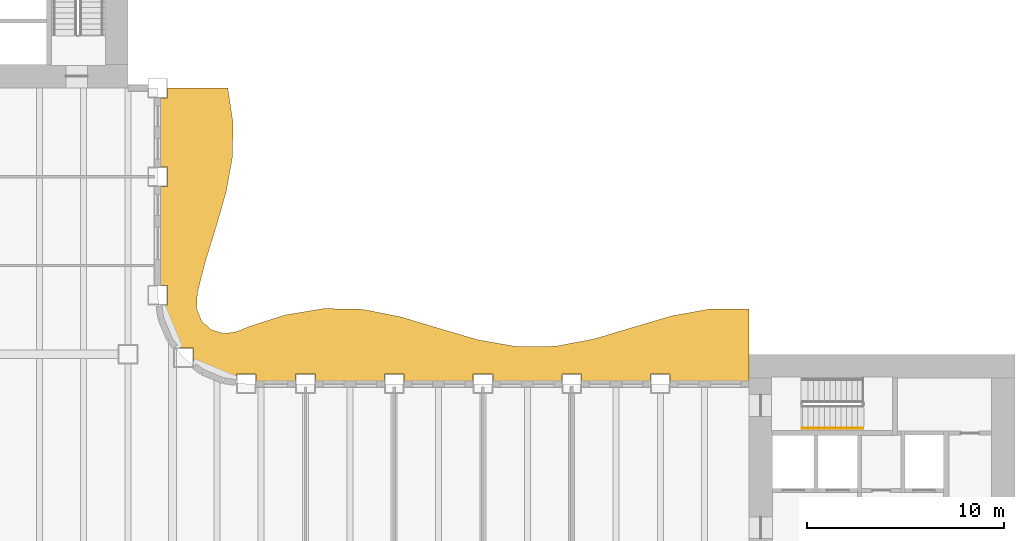
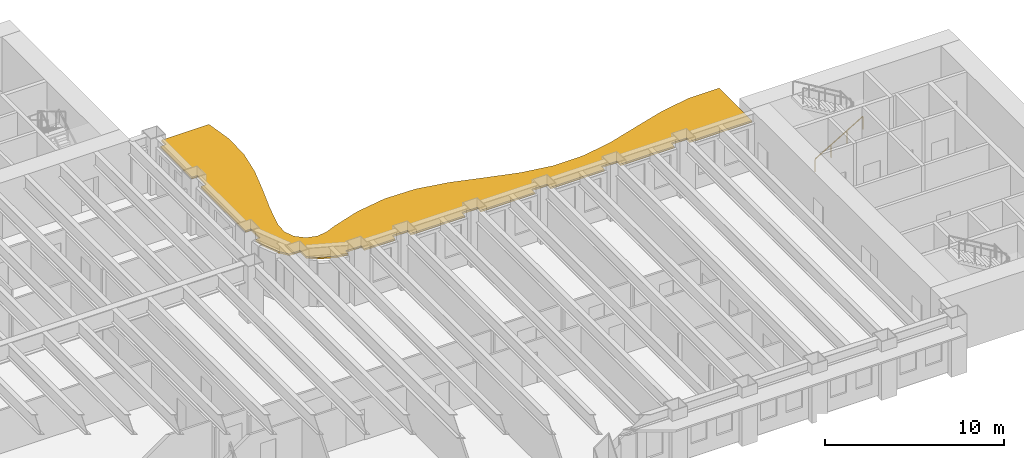
# One storey, part 14 of 16: 1 railing, 1 shading device.
"""IFC4 building model written with IfcOpenShell, lengths in metres."""

from ifc_helpers import new_model, si_unit, direction, frame, origin, origin_2d, place, context, subcontext, project, spatial, polyline, rectangle, outline, extrude, material, layer, layer_set, type_object, element, save


model = new_model("IFC4")

# Units and contexts
model_context = context("Model", 3, precision=1e-05, world=origin(), true_north=direction((0.0, 1.0)))
body_context = subcontext(model_context, "Body", "Model", "MODEL_VIEW")
ifc_project = project(units=[si_unit("LENGTHUNIT", "METRE"), si_unit("AREAUNIT", "SQUARE_METRE"), si_unit("VOLUMEUNIT", "CUBIC_METRE"), si_unit("PLANEANGLEUNIT", "RADIAN"), si_unit("MASSUNIT", "GRAM", prefix="KILO")], contexts=[model_context])

# Site, building, storey
site_placement = place(None, origin())
site = spatial("IfcSite", under=ifc_project, at=site_placement, CompositionType="ELEMENT")
building_placement = place(site_placement, origin())
building = spatial("IfcBuilding", under=site, at=building_placement, Name="Sennacour Bend Tower", CompositionType="ELEMENT")
storey_placement = place(building_placement, frame((0.0, 0.0, 115.0)))
storey = spatial("IfcBuildingStorey", under=building, at=storey_placement, Name="L26", CompositionType="ELEMENT", Elevation=115.0)

# Railing
ifc_material_1 = material(Name="Stainless steel", Category="steel")
railing_type = type_object("IfcRailingType", Name="RL-HANDRAIL-900", PredefinedType="HANDRAIL", material=ifc_material_1)
railing_placement = place(storey_placement, frame((56.699951171875, 18.75, 0.166748046875)))
element("IfcRailing", 1, at=railing_placement, inside=storey, type_object=railing_type, Name="L26 SA2 stair handrail 1", PredefinedType="HANDRAIL", context=body_context, shape_type="SweptSolid", body=[
    extrude(rectangle(XDim=0.048095703125, YDim=0.048095703125, at=origin_2d()), frame((0.0, 0.0, 0.8759765625), z_axis=(0.859308565015, 0.0, 0.511457515432), x_axis=(0.0, 1.0, 0.0)), (0.0, 0.0, 1.0), 3.58447265625),
    extrude(rectangle(XDim=0.0419921875, YDim=0.0419921875, at=origin_2d()), origin(), (0.0, 0.0, 1.0), 0.851806640625),
    extrude(rectangle(XDim=0.0419921875, YDim=0.0419921875, at=origin_2d()), frame((1.026611328125, 0.0, 0.611083984375)), (0.0, 0.0, 1.0), 0.851806640625),
    extrude(rectangle(XDim=0.0419921875, YDim=0.0419921875, at=origin_2d()), frame((2.053466796875, 0.0, 1.22216796875)), (0.0, 0.0, 1.0), 0.851806640625),
    extrude(rectangle(XDim=0.0419921875, YDim=0.0419921875, at=origin_2d()), frame((3.080078125, 0.0, 1.833251953125)), (0.0, 0.0, 1.0), 0.851806640625),
])

# Shading device
ifc_material_2 = material(Name="Bronze anodised aluminium", Category="aluminium")
ifc_layer = layer(ifc_material_2, 0.1201171875, Name="Bronze anodised aluminium", Category="aluminium")
ifc_layer_set = layer_set([ifc_layer], Name="Bronze anodised aluminium")
shading_device_type = type_object("IfcShadingDeviceType", Name="SUNSHADE BAND WAVE", PredefinedType="USERDEFINED", material=ifc_layer_set)
shading_device_placement = place(storey_placement, frame((0.0, 0.0, 3.033935546875)))
element("IfcShadingDevice", 2, at=shading_device_placement, inside=storey, type_object=shading_device_type, Name="Sunshade band L26 concave faces", ObjectType="SUNSHADE", PredefinedType="USERDEFINED", context=body_context, shape_type="SweptSolid", body=[
    extrude(outline(polyline([(54.0, 21.14990234375), (50.0, 21.14990234375), (50.0, 21.5), (49.0, 21.5), (49.0, 21.14990234375), (45.5, 21.14990234375), (45.5, 21.5), (44.5, 21.5), (44.5, 21.14990234375), (41.0, 21.14990234375), (41.0, 21.5), (40.0, 21.5), (40.0, 21.14990234375), (36.5, 21.14990234375), (36.5, 21.5), (35.5, 21.5), (35.5, 21.14990234375), (32.0, 21.14990234375), (32.0, 21.5), (31.0, 21.5), (31.0, 21.14990234375), (29.0, 21.14990234375), (29.0, 21.5), (28.0, 21.5), (28.0, 21.217041015625), (27.37451171875, 21.299560546875), (26.32568359375, 21.73388671875), (25.818115234375, 22.123291015625), (25.818115234375, 22.818115234375), (25.123291015625, 22.818115234375), (24.73388671875, 23.32568359375), (24.299560546875, 24.37451171875), (24.217041015625, 25.0), (24.5, 25.0), (24.5, 26.0), (24.14990234375, 26.0), (24.14990234375, 31.0), (24.5, 31.0), (24.5, 32.0), (24.14990234375, 32.0), (24.14990234375, 35.5), (24.5, 35.5), (24.5, 36.0), (27.560791015625, 36.0), (27.82470703125, 34.25), (27.7958984375, 32.5), (27.482666015625, 30.75), (26.979248046875, 29.0), (26.43701171875, 27.25), (26.018798828125, 25.63232421875), (25.978515625, 24.824462890625), (26.2294921875, 24.189208984375), (26.73486328125, 23.73486328125), (27.37451171875, 23.55029296875), (28.0029296875, 23.645263671875), (28.69189453125, 23.926025390625), (30.46142578125, 24.4931640625), (32.423095703125, 24.819091796875), (34.384521484375, 24.78125), (36.34619140625, 24.394287109375), (38.3076171875, 23.802978515625), (40.269287109375, 23.2294921875), (42.230712890625, 22.888671875), (44.1923828125, 22.908447265625), (46.15380859375, 23.28125), (48.115478515625, 23.86767578125), (50.076904296875, 24.447265625), (52.03857421875, 24.802978515625), (54.0, 24.801025390625), (54.0, 21.14990234375)])), origin(), (0.0, 0.0, 1.0), 0.1201171875),
])

save(model, "model.ifc")
